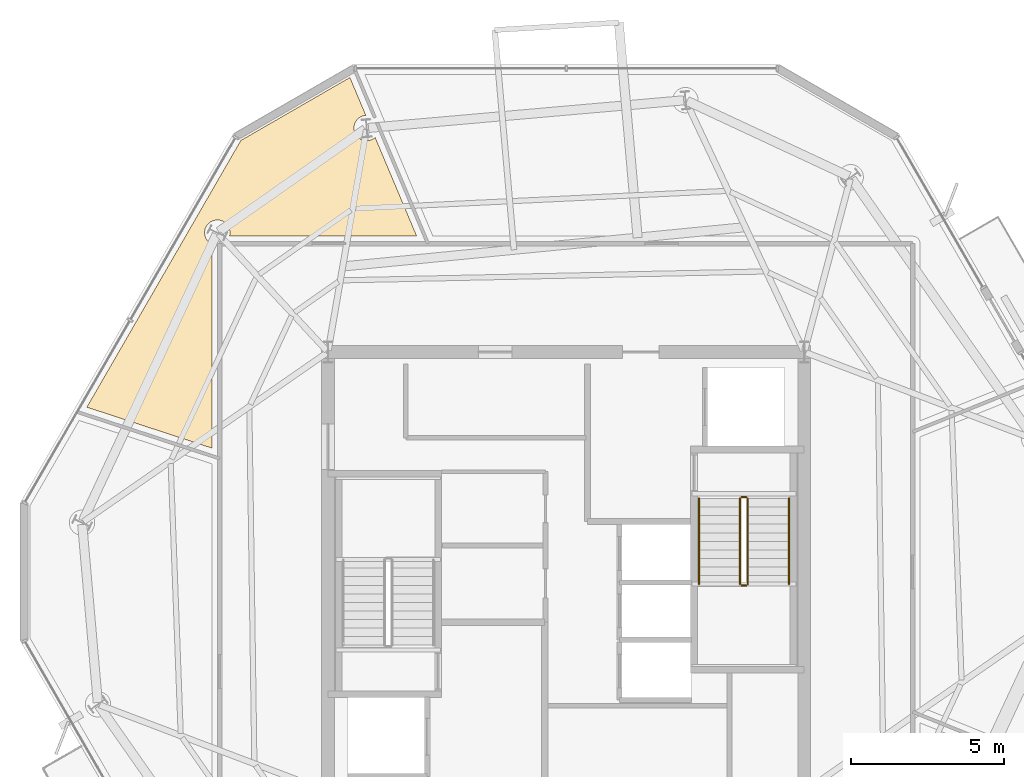
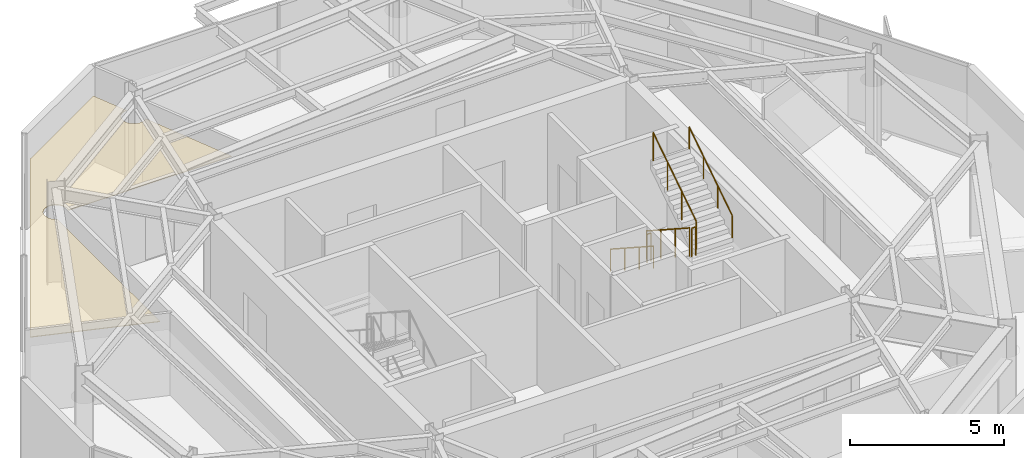
# One storey, part 10 of 11: 6 railings, 1 covering.
"""IFC4 building model written with IfcOpenShell, lengths in metres."""

import ifcopenshell
import ifcopenshell.guid

model = None  # the IFC model being written
_history = None  # IfcOwnerHistory: only IFC2X3 demands one
_inside = {}  # id of a spatial element -> (the spatial element, [elements in it])
_under = {}  # id of a project, library or spatial element -> (it, [spatial elements below it])
_declared = {}  # id of a project -> (the project, [libraries it declares])
_typed = {}  # id of a type object -> (the type object, [elements of that type])
_made_of = {}  # id of a material, layer set ... -> (it, [elements and type objects made of it])


def new_model(schema):
    """Start an empty IFC model of exactly this schema.

    Asked for "IFC4X3", IfcOpenShell would pick the latest addendum, in which some entities
    have other attributes; the version numbers below select the first issue.
    IFC2X3 requires an IfcOwnerHistory on every rooted entity: one is made here for all.
    """
    global model, _history
    if schema == "IFC4X3":
        model = ifcopenshell.file(schema_version=(4, 3, 0, 0))
    else:
        model = ifcopenshell.file(schema=schema)
    _inside.clear()
    _under.clear()
    _declared.clear()
    _typed.clear()
    _made_of.clear()
    _history = None
    if model.schema == "IFC2X3":
        org = make("IfcOrganization", Name="unknown")
        user = make(
            "IfcPersonAndOrganization",
            ThePerson=make("IfcPerson", FamilyName="unknown"),
            TheOrganization=org,
        )
        app = make(
            "IfcApplication",
            ApplicationDeveloper=org,
            Version="unknown",
            ApplicationFullName="unknown",
            ApplicationIdentifier="unknown",
        )
        _history = make(
            "IfcOwnerHistory",
            OwningUser=user,
            OwningApplication=app,
            ChangeAction="ADDED",
            CreationDate=0,
        )
    return model


def make(cls, **values):
    """One entity of the class cls with the attributes given. An attribute that is None is left unset."""
    return model.create_entity(
        cls, **{name: value for name, value in values.items() if value is not None}
    )


def rooted(cls, **values):
    """An entity with a GlobalId (a new one), such as an element, a storey or a relation."""
    return make(cls, GlobalId=ifcopenshell.guid.new(), OwnerHistory=_history, **values)


def si_unit(unit_type, name, prefix=None):
    """IfcSIUnit, for example si_unit("LENGTHUNIT", "METRE", prefix="MILLI")."""
    return make("IfcSIUnit", UnitType=unit_type, Prefix=prefix, Name=name)


def assignment(units):
    """IfcUnitAssignment: the units of a project."""
    return None if units is None else make("IfcUnitAssignment", Units=units)


def point(xyz):
    """IfcCartesianPoint."""
    return None if xyz is None else make("IfcCartesianPoint", Coordinates=xyz)


def direction(xyz):
    """IfcDirection."""
    return None if xyz is None else make("IfcDirection", DirectionRatios=xyz)


def frame(location, z_axis=None, x_axis=None):
    """IfcAxis2Placement3D, a coordinate frame: its origin and axes. An axis left out is left unset."""
    return make(
        "IfcAxis2Placement3D",
        Location=point(location),
        Axis=direction(z_axis),
        RefDirection=direction(x_axis),
    )


def frame_2d(location, x_axis=None):
    """IfcAxis2Placement2D, a coordinate frame in the plane: its origin and x axis."""
    return make(
        "IfcAxis2Placement2D", Location=point(location), RefDirection=direction(x_axis)
    )


def origin():
    """The frame at (0, 0, 0) with its axes left unset."""
    return frame((0.0, 0.0, 0.0))


def origin_2d():
    """The frame at (0, 0) in the plane with its x axis left unset."""
    return frame_2d((0.0, 0.0))


def place(relative_to, where):
    """IfcLocalPlacement: puts the frame where relative to a parent placement (None: the world)."""
    return make(
        "IfcLocalPlacement", PlacementRelTo=relative_to, RelativePlacement=where
    )


def context(
    kind, dimensions, precision=None, world=None, true_north=None, identifier=None
):
    """IfcGeometricRepresentationContext, for example the 3D "Model" context."""
    return make(
        "IfcGeometricRepresentationContext",
        ContextIdentifier=identifier,
        ContextType=kind,
        CoordinateSpaceDimension=dimensions,
        Precision=precision,
        WorldCoordinateSystem=world,
        TrueNorth=true_north,
    )


def subcontext(parent, identifier, kind, view, scale=None):
    """IfcGeometricRepresentationSubContext, for example "Body" below "Model"."""
    return make(
        "IfcGeometricRepresentationSubContext",
        ContextIdentifier=identifier,
        ContextType=kind,
        ParentContext=parent,
        TargetScale=scale,
        TargetView=view,
    )


def project(units=None, contexts=None):
    """IfcProject with its units and contexts."""
    return rooted(
        "IfcProject",
        Name="project",
        RepresentationContexts=contexts,
        UnitsInContext=assignment(units),
    )


def spatial(cls, under=None, at=None, **own):
    """A site, building, storey or space (cls), placed at a placement, below another one or the project."""
    s = rooted(cls, ObjectPlacement=at, **own)
    if under is not None:
        _under.setdefault(under.id(), (under, []))[1].append(s)
    return s


def polyline(points):
    """IfcPolyline through the points."""
    return make("IfcPolyline", Points=[point(p) for p in points])


def profile(cls, at=None, kind="AREA", **sizes):
    """A parametric profile (cls). Its sizes go by their IFC names, for example OverallWidth=200.0."""
    return make(cls, ProfileType=kind, Position=at, **sizes)


def circle(**sizes):
    """IfcCircleProfileDef."""
    return profile("IfcCircleProfileDef", **sizes)


def outline(outer, holes=None, kind="AREA"):
    """IfcArbitraryClosedProfileDef: a profile drawn as a closed curve; with holes, ...WithVoids."""
    if holes is None:
        return make("IfcArbitraryClosedProfileDef", ProfileType=kind, OuterCurve=outer)
    return make(
        "IfcArbitraryProfileDefWithVoids",
        ProfileType=kind,
        OuterCurve=outer,
        InnerCurves=holes,
    )


def extrude(swept, where, along, depth):
    """IfcExtrudedAreaSolid: the profile swept, set in the frame where, extruded along a direction by depth."""
    return make(
        "IfcExtrudedAreaSolid",
        SweptArea=swept,
        Position=where,
        ExtrudedDirection=direction(along),
        Depth=depth,
    )


def shape(context_of_items, identifier, shape_type, items):
    """IfcShapeRepresentation: the items that make up one representation, for example the "Body"."""
    return make(
        "IfcShapeRepresentation",
        ContextOfItems=context_of_items,
        RepresentationIdentifier=identifier,
        RepresentationType=shape_type,
        Items=items,
    )


def material(Name=None, Category=None):
    """IfcMaterial."""
    return make("IfcMaterial", Name=Name, Category=Category)


def layer(
    of_material, thickness, ventilated=None, Name=None, Category=None, Priority=None
):
    """IfcMaterialLayer: one layer of a wall or slab, of a material (None: an air gap)."""
    return make(
        "IfcMaterialLayer",
        Material=of_material,
        LayerThickness=thickness,
        IsVentilated=ventilated,
        Name=Name,
        Category=Category,
        Priority=Priority,
    )


def layer_set(layers, Name=None):
    """IfcMaterialLayerSet."""
    return make("IfcMaterialLayerSet", MaterialLayers=layers, LayerSetName=Name)


def made_of(thing, what):
    """Note that an element or type object is made of a material, layer set ...; save() writes the relation."""
    if what is not None:
        _made_of.setdefault(what.id(), (what, []))[1].append(thing)
    return thing


def type_object(cls, material=None, **own):
    """A type object (cls), such as IfcWallType, which elements share."""
    return made_of(rooted(cls, **own), material)


def element(
    cls,
    number,
    at=None,
    inside=None,
    cuts=None,
    type_object=None,
    material=None,
    context=None,
    identifier="Body",
    shape_type=None,
    held_by="IfcProductDefinitionShape",
    body=None,
    shapes=None,
    **own,
):
    """One element of the class cls, such as IfcWall. Its Tag is "e" and its number.

    at: its placement. inside: the storey or other place that contains it. cuts: it is an
    opening in that element (IfcRelVoidsElement). A single representation is given by context,
    identifier, shape_type and body (its items); several are given by shapes. held_by: the class
    of the entity that holds the representations. save() writes the other relations.
    """
    e = rooted(cls, Tag="e%d" % number, ObjectPlacement=at, **own)
    if body is not None:
        shapes = [shape(context, identifier, shape_type, body)]
    if shapes is not None:
        e.Representation = make(held_by, Representations=shapes)
    if inside is not None:
        _inside.setdefault(inside.id(), (inside, []))[1].append(e)
    if cuts is not None:
        rooted(
            "IfcRelVoidsElement", RelatingBuildingElement=cuts, RelatedOpeningElement=e
        )
    if type_object is not None:
        _typed.setdefault(type_object.id(), (type_object, []))[1].append(e)
    return made_of(e, material)


def aggregate(whole, parts):
    """IfcRelAggregates: a whole, such as a stair, and the parts it consists of."""
    return rooted("IfcRelAggregates", RelatingObject=whole, RelatedObjects=parts)


def save(model, path):
    """Write the relations noted so far, then the file.

    IfcRelAggregates (storeys below a building ...), IfcRelContainedInSpatialStructure (elements
    in a storey), IfcRelDefinesByType, IfcRelAssociatesMaterial and IfcRelDeclares: one each for
    every whole, place, type object, material and project.
    """
    for whole, parts in _under.values():
        aggregate(whole, parts)
    for where, things in _inside.values():
        rooted(
            "IfcRelContainedInSpatialStructure",
            RelatedElements=things,
            RelatingStructure=where,
        )
    for kind, things in _typed.values():
        rooted("IfcRelDefinesByType", RelatedObjects=things, RelatingType=kind)
    for what, things in _made_of.values():
        rooted("IfcRelAssociatesMaterial", RelatedObjects=things, RelatingMaterial=what)
    for by, libraries in _declared.values():
        rooted("IfcRelDeclares", RelatingContext=by, RelatedDefinitions=libraries)
    model.write(path)


model = new_model("IFC4")

# Units and contexts
model_context = context("Model", 3, precision=1e-05, world=origin(), true_north=direction((0.0, 1.0)))
body_context = subcontext(model_context, "Body", "Model", "MODEL_VIEW")
ifc_project = project(units=[si_unit("LENGTHUNIT", "METRE"), si_unit("AREAUNIT", "SQUARE_METRE"), si_unit("VOLUMEUNIT", "CUBIC_METRE"), si_unit("PLANEANGLEUNIT", "RADIAN"), si_unit("MASSUNIT", "GRAM", prefix="KILO")], contexts=[model_context])

# Site, building, storey
site_placement = place(None, origin())
site = spatial("IfcSite", under=ifc_project, at=site_placement, CompositionType="ELEMENT")
building_placement = place(site_placement, origin())
building = spatial("IfcBuilding", under=site, at=building_placement, Name="Kranzbogen Civic Tower", CompositionType="ELEMENT")
storey_placement = place(building_placement, frame((0.0, 0.0, 266.199951171875)))
storey = spatial("IfcBuildingStorey", under=building, at=storey_placement, Name="L64", CompositionType="ELEMENT", Elevation=266.199951171875)

# Railings
ifc_material_1 = material(Name="Steel S355", Category="steel")
railing_type_1 = type_object("IfcRailingType", Name="Internal Stair and Void Steel Guardrail 1150", PredefinedType="GUARDRAIL", material=ifc_material_1)
railing_1_placement = place(storey_placement, frame((30.699951171875, 27.39990234375, 0.181884765625)))
element("IfcRailing", 1, at=railing_1_placement, inside=storey, type_object=railing_type_1, Name="L64 ST-T2 stair guard 1", PredefinedType="GUARDRAIL", context=body_context, shape_type="SweptSolid", body=[
    extrude(circle(Radius=0.02392578125, at=origin_2d()), frame((0.0, 0.0, 1.1259765625), z_axis=(0.0, -0.83868413941, 0.544618136222), x_axis=(1.0, 0.0, 0.0)), (0.0, 0.0, 1.0), 3.33837890625),
    extrude(circle(Radius=0.02099609375, at=origin_2d()), origin(), (0.0, 0.0, 1.0), 1.101806640625),
    extrude(circle(Radius=0.02099609375, at=origin_2d()), frame((0.0, -0.933349609375, 0.60595703125)), (0.0, 0.0, 1.0), 1.101806640625),
    extrude(circle(Radius=0.02099609375, at=origin_2d()), frame((0.0, -1.866455078125, 1.212158203125)), (0.0, 0.0, 1.0), 1.101806640625),
    extrude(circle(Radius=0.02099609375, at=origin_2d()), frame((0.0, -2.7998046875, 1.818115234375)), (0.0, 0.0, 1.0), 1.101806640625),
])
railing_2_placement = place(storey_placement, frame((30.75, 24.550048828125, 2.0)))
element("IfcRailing", 2, at=railing_2_placement, inside=storey, type_object=railing_type_1, Name="L64 ST-T2 stair guard 2", PredefinedType="GUARDRAIL", context=body_context, shape_type="SweptSolid", body=[
    extrude(circle(Radius=0.02392578125, at=origin_2d()), frame((0.0, 0.0, 1.1259765625), z_axis=(1.0, 0.0, 0.0), x_axis=(0.0, 1.0, 0.0)), (0.0, 0.0, 1.0), 0.14990234375),
    extrude(circle(Radius=0.02099609375, at=origin_2d()), origin(), (0.0, 0.0, 1.0), 1.101806640625),
    extrude(circle(Radius=0.02099609375, at=origin_2d()), frame((0.14990234375, 0.0, 0.0)), (0.0, 0.0, 1.0), 1.101806640625),
])
railing_3_placement = place(storey_placement, frame((30.949951171875, 24.60009765625, 2.181884765625)))
element("IfcRailing", 3, at=railing_3_placement, inside=storey, type_object=railing_type_1, Name="L64 ST-T2 stair guard 3", PredefinedType="GUARDRAIL", context=body_context, shape_type="SweptSolid", body=[
    extrude(circle(Radius=0.02392578125, at=origin_2d()), frame((0.0, 0.0, 1.1259765625), z_axis=(0.0, 0.83868413941, 0.544618136222), x_axis=(-1.0, 0.0, 0.0)), (0.0, 0.0, 1.0), 3.33837890625),
    extrude(circle(Radius=0.02099609375, at=origin_2d()), origin(), (0.0, 0.0, 1.0), 1.101806640625),
    extrude(circle(Radius=0.02099609375, at=origin_2d()), frame((0.0, 0.933349609375, 0.60595703125)), (0.0, 0.0, 1.0), 1.101806640625),
    extrude(circle(Radius=0.02099609375, at=origin_2d()), frame((0.0, 1.866455078125, 1.212158203125)), (0.0, 0.0, 1.0), 1.101806640625),
    extrude(circle(Radius=0.02099609375, at=origin_2d()), frame((0.0, 2.7998046875, 1.818115234375)), (0.0, 0.0, 1.0), 1.101806640625),
])
railing_4_placement = place(storey_placement, frame((30.75, 27.449951171875, 0.0)))
element("IfcRailing", 4, at=railing_4_placement, inside=storey, type_object=railing_type_1, Name="L64 ST-T2 stair guard 4", PredefinedType="GUARDRAIL", context=body_context, shape_type="SweptSolid", body=[
    extrude(circle(Radius=0.02392578125, at=origin_2d()), frame((0.0, 0.0, 1.1259765625), z_axis=(1.0, 0.0, 0.0), x_axis=(0.0, 1.0, 0.0)), (0.0, 0.0, 1.0), 0.14990234375),
    extrude(circle(Radius=0.02099609375, at=origin_2d()), origin(), (0.0, 0.0, 1.0), 1.101806640625),
    extrude(circle(Radius=0.02099609375, at=origin_2d()), frame((0.14990234375, 0.0, 0.0)), (0.0, 0.0, 1.0), 1.101806640625),
])

# Covering
ifc_material_2 = material(Name="Perforated Acoustic Gypsum Ceiling")
ifc_layer = layer(ifc_material_2, 0.02490234375, Name="Perforated Acoustic Gypsum Ceiling")
ifc_layer_set = layer_set([ifc_layer], Name="Perforated Acoustic Gypsum Ceiling")
covering_type = type_object("IfcCoveringType", Name="Perforated Acoustic Mineral Ceiling Tile 25 mm", PredefinedType="CEILING", material=ifc_layer_set)
covering_placement = place(storey_placement, frame((0.0, 0.0, 2.75)))
element("IfcCovering", 5, at=covering_placement, inside=storey, type_object=covering_type, Name="L64 Ministerial Policy Office acoustic ceiling", PredefinedType="CEILING", context=body_context, shape_type="SweptSolid", body=[
    extrude(outline(polyline([(17.91796875, 41.19189453125), (18.44091796875, 39.949951171875), (18.426025390625, 39.948974609375), (18.385986328125, 39.943115234375), (18.345947265625, 39.93408203125), (18.30810546875, 39.919921875), (18.27099609375, 39.902099609375), (18.236083984375, 39.881103515625), (18.202880859375, 39.85693359375), (18.173095703125, 39.830078125), (18.14599609375, 39.800048828125), (18.1220703125, 39.76708984375), (18.10107421875, 39.73193359375), (18.0830078125, 39.695068359375), (18.069091796875, 39.656982421875), (18.06005859375, 39.616943359375), (18.053955078125, 39.576904296875), (18.052001953125, 39.535888671875), (18.053955078125, 39.4951171875), (18.06005859375, 39.455078125), (18.069091796875, 39.4150390625), (18.0830078125, 39.376953125), (18.10107421875, 39.340087890625), (18.1220703125, 39.304931640625), (18.14599609375, 39.27197265625), (18.173095703125, 39.241943359375), (18.202880859375, 39.215087890625), (18.236083984375, 39.19091796875), (18.27099609375, 39.169921875), (18.30810546875, 39.152099609375), (18.345947265625, 39.137939453125), (18.385986328125, 39.12890625), (18.426025390625, 39.123046875), (18.467041015625, 39.12109375), (18.508056640625, 39.123046875), (18.548095703125, 39.12890625), (18.587890625, 39.137939453125), (18.6259765625, 39.152099609375), (18.6630859375, 39.169921875), (18.697998046875, 39.19091796875), (18.73095703125, 39.215087890625), (18.7451171875, 39.22802734375), (20.10595703125, 35.9951171875), (13.97412109375, 35.9951171875), (13.98193359375, 36.029052734375), (13.988037109375, 36.069091796875), (13.989990234375, 36.110107421875), (13.988037109375, 36.15087890625), (13.98193359375, 36.19091796875), (13.972900390625, 36.23095703125), (13.958984375, 36.26904296875), (13.94091796875, 36.305908203125), (13.919921875, 36.341064453125), (13.89599609375, 36.3740234375), (13.868896484375, 36.404052734375), (13.839111328125, 36.430908203125), (13.805908203125, 36.455078125), (13.77099609375, 36.47607421875), (13.73388671875, 36.493896484375), (13.696044921875, 36.508056640625), (13.656005859375, 36.51708984375), (13.615966796875, 36.52294921875), (13.574951171875, 36.52490234375), (13.533935546875, 36.52294921875), (13.493896484375, 36.51708984375), (13.4541015625, 36.508056640625), (13.416015625, 36.493896484375), (13.37890625, 36.47607421875), (13.343994140625, 36.455078125), (13.31103515625, 36.430908203125), (13.281005859375, 36.404052734375), (13.25390625, 36.3740234375), (13.22998046875, 36.341064453125), (13.208984375, 36.305908203125), (13.19091796875, 36.26904296875), (13.177001953125, 36.23095703125), (13.16796875, 36.19091796875), (13.162109375, 36.15087890625), (13.159912109375, 36.110107421875), (13.162109375, 36.069091796875), (13.16796875, 36.029052734375), (13.177001953125, 35.989013671875), (13.19091796875, 35.950927734375), (13.208984375, 35.9140625), (13.22998046875, 35.87890625), (13.25390625, 35.845947265625), (13.281005859375, 35.81591796875), (13.31103515625, 35.7890625), (13.343994140625, 35.764892578125), (13.37890625, 35.743896484375), (13.405029296875, 35.73095703125), (13.405029296875, 29.051025390625), (9.302001953125, 30.39306640625), (14.344970703125, 39.12890625), (17.91796875, 41.19189453125)])), origin(), (0.0, 0.0, 1.0), 0.025146484375),
])

# Railings
ifc_material_3 = material(Name="Pale Anodised Aluminium", Category="aluminium")
railing_type_2 = type_object("IfcRailingType", Name="Tubular Stainless Stair Wall Handrail 900", PredefinedType="HANDRAIL", material=ifc_material_3)
railing_5_placement = place(storey_placement, frame((29.35009765625, 27.39990234375, 0.181884765625)))
element("IfcRailing", 6, at=railing_5_placement, inside=storey, type_object=railing_type_2, Name="L64 ST-T2 stair handrail 1", PredefinedType="HANDRAIL", context=body_context, shape_type="SweptSolid", body=[
    extrude(circle(Radius=0.02392578125, at=origin_2d()), frame((0.0, 0.0, 0.8759765625), z_axis=(0.0, -0.83868413941, 0.544618136222), x_axis=(1.0, 0.0, 0.0)), (0.0, 0.0, 1.0), 3.33837890625),
    extrude(circle(Radius=0.02099609375, at=origin_2d()), origin(), (0.0, 0.0, 1.0), 0.851806640625),
    extrude(circle(Radius=0.02099609375, at=origin_2d()), frame((0.0, -0.933349609375, 0.60595703125)), (0.0, 0.0, 1.0), 0.851806640625),
    extrude(circle(Radius=0.02099609375, at=origin_2d()), frame((0.0, -1.866455078125, 1.212158203125)), (0.0, 0.0, 1.0), 0.851806640625),
    extrude(circle(Radius=0.02099609375, at=origin_2d()), frame((0.0, -2.7998046875, 1.818115234375)), (0.0, 0.0, 1.0), 0.851806640625),
])
railing_6_placement = place(storey_placement, frame((32.300048828125, 24.60009765625, 2.181884765625)))
element("IfcRailing", 7, at=railing_6_placement, inside=storey, type_object=railing_type_2, Name="L64 ST-T2 stair handrail 2", PredefinedType="HANDRAIL", context=body_context, shape_type="SweptSolid", body=[
    extrude(circle(Radius=0.02392578125, at=origin_2d()), frame((0.0, 0.0, 0.8759765625), z_axis=(0.0, 0.83868413941, 0.544618136222), x_axis=(-1.0, 0.0, 0.0)), (0.0, 0.0, 1.0), 3.33837890625),
    extrude(circle(Radius=0.02099609375, at=origin_2d()), origin(), (0.0, 0.0, 1.0), 0.851806640625),
    extrude(circle(Radius=0.02099609375, at=origin_2d()), frame((0.0, 0.933349609375, 0.60595703125)), (0.0, 0.0, 1.0), 0.851806640625),
    extrude(circle(Radius=0.02099609375, at=origin_2d()), frame((0.0, 1.866455078125, 1.212158203125)), (0.0, 0.0, 1.0), 0.851806640625),
    extrude(circle(Radius=0.02099609375, at=origin_2d()), frame((0.0, 2.7998046875, 1.818115234375)), (0.0, 0.0, 1.0), 0.851806640625),
])

save(model, "model.ifc")
